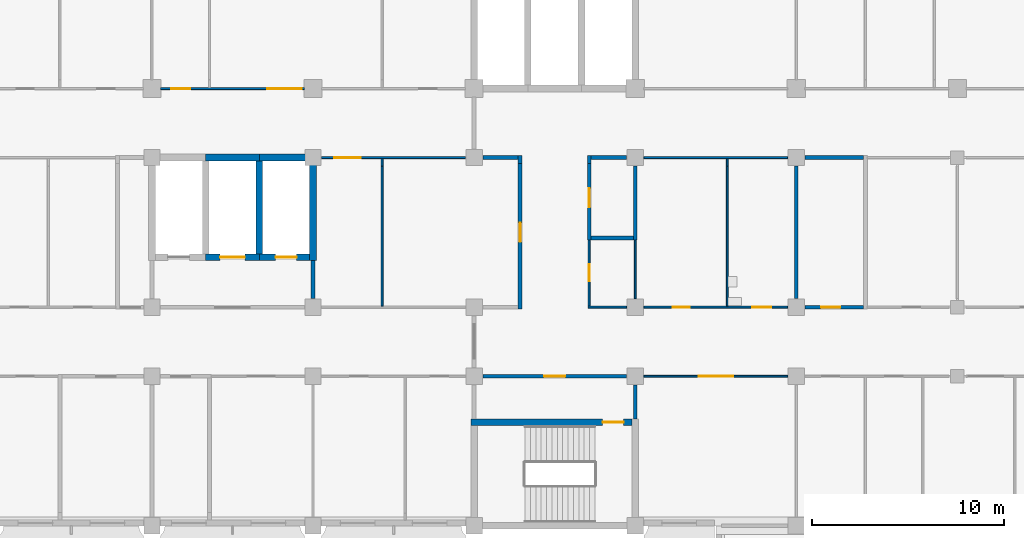
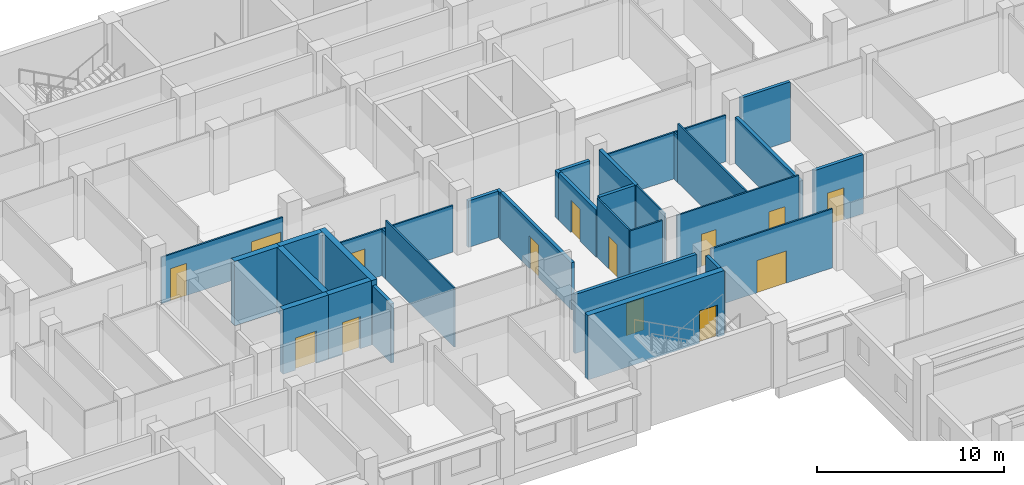
# One storey, part 65 of 109: 33 walls, 14 doors, 14 openings.
"""IFC4 building model written with IfcOpenShell, lengths in metres."""

from ifc_helpers import new_model, si_unit, direction, frame, frame_2d, origin, place, context, subcontext, project, spatial, rectangle, extrude, material, layer, layer_set, type_object, element, fill, save


model = new_model("IFC4")

# Units and contexts
model_context = context("Model", 3, precision=1e-05, world=origin(), true_north=direction((0.0, 1.0)))
body_context = subcontext(model_context, "Body", "Model", "MODEL_VIEW")
ifc_project = project(units=[si_unit("LENGTHUNIT", "METRE"), si_unit("AREAUNIT", "SQUARE_METRE"), si_unit("VOLUMEUNIT", "CUBIC_METRE"), si_unit("PLANEANGLEUNIT", "RADIAN"), si_unit("MASSUNIT", "GRAM", prefix="KILO")], contexts=[model_context])

# Site, building, storey
site_placement = place(None, origin())
site = spatial("IfcSite", under=ifc_project, at=site_placement, CompositionType="ELEMENT")
building_placement = place(site_placement, origin())
building = spatial("IfcBuilding", under=site, at=building_placement, Name="Bougainvillea Quay General Hospital", CompositionType="ELEMENT")
storey_placement = place(building_placement, frame((0.0, 0.0, 12.60009765625)))
storey = spatial("IfcBuildingStorey", under=building, at=storey_placement, Name="L02", CompositionType="ELEMENT", Elevation=12.60009765625)

# Wall, openings, doors
ifc_material_1 = material(Name="Gypsum board partition on steel studs", Category="steel")
ifc_layer_1 = layer(ifc_material_1, 0.10009765625)
ifc_layer_set_1 = layer_set([ifc_layer_1], Name="Gypsum board partition on steel studs")
wall_type_1 = type_object("IfcWallType", Name="Partition 100 Gypsum board partition", PredefinedType="PARTITIONING", material=ifc_layer_set_1)
wall_1_placement = place(storey_placement, frame((142.35009765625, 140.39990234375, 0.0), z_axis=(0.0, 0.0, 1.0), x_axis=(-1.0, 0.0, 0.0)))
wall_1 = element("IfcWall", 1, at=wall_1_placement, inside=storey, type_object=wall_type_1, Name="Partition 100 mm", PredefinedType="PARTITIONING", context=body_context, shape_type="SweptSolid", body=[
    extrude(rectangle(XDim=7.5, YDim=0.10009765625, at=frame_2d((3.75, 0.0))), origin(), (0.0, 0.0, 1.0), 3.02978515625),
])
opening_1_placement = place(wall_1_placement, frame((5.949951171875, 0.0, 0.0)))
opening_1 = element("IfcOpeningElement", 2, at=opening_1_placement, cuts=wall_1, Name="Opening L02.157", PredefinedType="OPENING", context=body_context, shape_type="SweptSolid", body=[
    extrude(rectangle(XDim=1.0, YDim=2.10009765625, at=frame_2d((0.5, 1.050048828125))), frame((0.0, 0.06005859375, 0.0), z_axis=(0.0, -1.0, 0.0), x_axis=(1.0, 0.0, 0.0)), (0.0, 0.0, 1.0), 0.1201171875),
])
opening_2_placement = place(wall_1_placement, frame((0.14990234375, 0.0, 0.0)))
opening_2 = element("IfcOpeningElement", 3, at=opening_2_placement, cuts=wall_1, Name="Opening L02.158", PredefinedType="OPENING", context=body_context, shape_type="SweptSolid", body=[
    extrude(rectangle(XDim=1.800048828125, YDim=2.10009765625, at=frame_2d((0.89990234375, 1.050048828125))), frame((0.0, 0.06005859375, 0.0), z_axis=(0.0, -1.0, 0.0), x_axis=(1.0, 0.0, 0.0)), (0.0, 0.0, 1.0), 0.1201171875),
])
ifc_material_2 = material(Name="Solid-core timber door leaves in steel frame", Category="steel")
door_type_1 = type_object("IfcDoorType", Name="Double leaf door 1800x2100", OperationType="DOUBLE_DOOR_SINGLE_SWING", PredefinedType="DOOR", material=ifc_material_2)
door_1_placement = place(opening_2_placement, frame((1.800048828125, 0.0, 0.0), z_axis=(0.0, 0.0, 1.0), x_axis=(-1.0, 0.0, 0.0)))
door_1 = element("IfcDoor", 4, at=door_1_placement, inside=storey, type_object=door_type_1, Name="DT08 L02.158", OperationType="DOUBLE_DOOR_SINGLE_SWING", OverallHeight=2.10009765625, OverallWidth=1.800048828125, PredefinedType="DOOR", context=body_context, shape_type="SweptSolid", body=[
    extrude(rectangle(XDim=1.800048828125, YDim=2.10009765625, at=frame_2d((0.89990234375, 1.050048828125))), frame((0.0, 0.02490234375, 0.0), z_axis=(0.0, -1.0, 0.0), x_axis=(1.0, 0.0, 0.0)), (0.0, 0.0, 1.0), 0.050048828125),
])
fill(opening_2, door_1)
ifc_material_3 = material(Name="Solid-core timber door leaf in steel frame", Category="steel")
door_type_2 = type_object("IfcDoorType", Name="Single leaf door 1000x2100", OperationType="NOTDEFINED", PredefinedType="DOOR", material=ifc_material_3)
door_2_placement = place(opening_1_placement, frame((1.0, 0.0, 0.0), z_axis=(0.0, 0.0, 1.0), x_axis=(-1.0, 0.0, 0.0)))
door_2 = element("IfcDoor", 5, at=door_2_placement, inside=storey, type_object=door_type_2, Name="DT06 L02.157", OperationType="SINGLE_SWING_LEFT", OverallHeight=2.10009765625, OverallWidth=1.0, PredefinedType="DOOR", context=body_context, shape_type="SweptSolid", body=[
    extrude(rectangle(XDim=1.0, YDim=2.10009765625, at=frame_2d((0.5, 1.050048828125))), frame((0.0, 0.02490234375, 0.0), z_axis=(0.0, -1.0, 0.0), x_axis=(1.0, 0.0, 0.0)), (0.0, 0.0, 1.0), 0.050048828125),
])
fill(opening_1, door_2)

# Wall, opening, door
wall_2_placement = place(storey_placement, frame((167.550048828125, 125.39990234375, 0.0), z_axis=(0.0, 0.0, 1.0), x_axis=(-1.0, 0.0, 0.0)))
wall_2 = element("IfcWall", 6, at=wall_2_placement, inside=storey, type_object=wall_type_1, Name="Partition 100 mm", PredefinedType="PARTITIONING", context=body_context, shape_type="SweptSolid", body=[
    extrude(rectangle(XDim=7.5, YDim=0.10009765625, at=frame_2d((3.75, 0.0))), origin(), (0.0, 0.0, 1.0), 3.849853515625),
])
opening_3_placement = place(wall_2_placement, frame((2.85009765625, 0.0, 0.0)))
opening_3 = element("IfcOpeningElement", 7, at=opening_3_placement, cuts=wall_2, Name="Opening L02.120", PredefinedType="OPENING", context=body_context, shape_type="SweptSolid", body=[
    extrude(rectangle(XDim=1.800048828125, YDim=2.10009765625, at=frame_2d((0.89990234375, 1.050048828125))), frame((0.0, 0.06005859375, 0.0), z_axis=(0.0, -1.0, 0.0), x_axis=(1.0, 0.0, 0.0)), (0.0, 0.0, 1.0), 0.1201171875),
])
door_3_placement = place(opening_3_placement, origin())
door_3 = element("IfcDoor", 8, at=door_3_placement, inside=storey, type_object=door_type_1, Name="DT08 L02.120", OperationType="DOUBLE_DOOR_SINGLE_SWING", OverallHeight=2.10009765625, OverallWidth=1.800048828125, PredefinedType="DOOR", context=body_context, shape_type="SweptSolid", body=[
    extrude(rectangle(XDim=1.800048828125, YDim=2.10009765625, at=frame_2d((0.89990234375, 1.050048828125))), frame((0.0, 0.02490234375, 0.0), z_axis=(0.0, -1.0, 0.0), x_axis=(1.0, 0.0, 0.0)), (0.0, 0.0, 1.0), 0.050048828125),
])
fill(opening_3, door_3)

wall_3_placement = place(storey_placement, frame((150.75, 136.800048828125, 0.0), z_axis=(0.0, 0.0, 1.0), x_axis=(-1.0, 0.0, 0.0)))
wall_3 = element("IfcWall", 9, at=wall_3_placement, inside=storey, type_object=wall_type_1, Name="Partition 100 mm", PredefinedType="PARTITIONING", context=body_context, shape_type="SweptSolid", body=[
    extrude(rectangle(XDim=7.5, YDim=0.10009765625, at=frame_2d((3.75, 0.0))), origin(), (0.0, 0.0, 1.0), 3.02978515625),
])
opening_4_placement = place(wall_3_placement, frame((5.449951171875, 0.0, 0.0)))
opening_4 = element("IfcOpeningElement", 10, at=opening_4_placement, cuts=wall_3, Name="Opening L02.116", PredefinedType="OPENING", context=body_context, shape_type="SweptSolid", body=[
    extrude(rectangle(XDim=1.39990234375, YDim=2.10009765625, at=frame_2d((0.699951171875, 1.050048828125))), frame((0.0, 0.06005859375, 0.0), z_axis=(0.0, -1.0, 0.0), x_axis=(1.0, 0.0, 0.0)), (0.0, 0.0, 1.0), 0.1201171875),
])
door_type_3 = type_object("IfcDoorType", Name="Bed door pair 1400x2100", OperationType="DOUBLE_DOOR_SINGLE_SWING", PredefinedType="DOOR", material=ifc_material_2)
door_4_placement = place(opening_4_placement, origin())
door_4 = element("IfcDoor", 11, at=door_4_placement, inside=storey, type_object=door_type_3, Name="DT09 L02.116", OperationType="DOUBLE_DOOR_SINGLE_SWING", OverallHeight=2.10009765625, OverallWidth=1.39990234375, PredefinedType="DOOR", context=body_context, shape_type="SweptSolid", body=[
    extrude(rectangle(XDim=1.39990234375, YDim=2.10009765625, at=frame_2d((0.699951171875, 1.050048828125))), frame((0.0, 0.02490234375, 0.0), z_axis=(0.0, -1.0, 0.0), x_axis=(1.0, 0.0, 0.0)), (0.0, 0.0, 1.0), 0.050048828125),
])
fill(opening_4, door_4)

# Wall, openings, doors
wall_4_placement = place(storey_placement, frame((167.550048828125, 129.0, 0.0), z_axis=(0.0, 0.0, 1.0), x_axis=(-1.0, 0.0, 0.0)))
wall_4 = element("IfcWall", 12, at=wall_4_placement, inside=storey, type_object=wall_type_1, Name="Partition 100 mm", PredefinedType="PARTITIONING", context=body_context, shape_type="SweptSolid", body=[
    extrude(rectangle(XDim=7.5, YDim=0.10009765625, at=frame_2d((3.75, 0.0))), origin(), (0.0, 0.0, 1.0), 3.849853515625),
])
opening_5_placement = place(wall_4_placement, frame((5.10009765625, 0.0, 0.0)))
opening_5 = element("IfcOpeningElement", 13, at=opening_5_placement, cuts=wall_4, Name="Opening L02.125", PredefinedType="OPENING", context=body_context, shape_type="SweptSolid", body=[
    extrude(rectangle(XDim=0.89990234375, YDim=2.10009765625, at=frame_2d((0.449951171875, 1.050048828125))), frame((0.0, 0.06005859375, 0.0), z_axis=(0.0, -1.0, 0.0), x_axis=(1.0, 0.0, 0.0)), (0.0, 0.0, 1.0), 0.1201171875),
])
opening_6_placement = place(wall_4_placement, frame((0.85009765625, 0.0, 0.0)))
opening_6 = element("IfcOpeningElement", 14, at=opening_6_placement, cuts=wall_4, Name="Opening L02.126", PredefinedType="OPENING", context=body_context, shape_type="SweptSolid", body=[
    extrude(rectangle(XDim=1.0, YDim=2.10009765625, at=frame_2d((0.5, 1.050048828125))), frame((0.0, 0.06005859375, 0.0), z_axis=(0.0, -1.0, 0.0), x_axis=(1.0, 0.0, 0.0)), (0.0, 0.0, 1.0), 0.1201171875),
])
door_5_placement = place(opening_6_placement, frame((1.0, 0.0, 0.0), z_axis=(0.0, 0.0, 1.0), x_axis=(-1.0, 0.0, 0.0)))
door_5 = element("IfcDoor", 15, at=door_5_placement, inside=storey, type_object=door_type_2, Name="DT06 L02.126", OperationType="SINGLE_SWING_RIGHT", OverallHeight=2.10009765625, OverallWidth=1.0, PredefinedType="DOOR", context=body_context, shape_type="SweptSolid", body=[
    extrude(rectangle(XDim=1.0, YDim=2.10009765625, at=frame_2d((0.5, 1.050048828125))), frame((0.0, 0.02490234375, 0.0), z_axis=(0.0, -1.0, 0.0), x_axis=(1.0, 0.0, 0.0)), (0.0, 0.0, 1.0), 0.050048828125),
])
fill(opening_6, door_5)
door_type_4 = type_object("IfcDoorType", Name="Single leaf door 900x2100", OperationType="NOTDEFINED", PredefinedType="DOOR", material=ifc_material_3)
door_6_placement = place(opening_5_placement, frame((0.89990234375, 0.0, 0.0), z_axis=(0.0, 0.0, 1.0), x_axis=(-1.0, 0.0, 0.0)))
door_6 = element("IfcDoor", 16, at=door_6_placement, inside=storey, type_object=door_type_4, Name="DT07 L02.125", OperationType="SINGLE_SWING_LEFT", OverallHeight=2.10009765625, OverallWidth=0.89990234375, PredefinedType="DOOR", context=body_context, shape_type="SweptSolid", body=[
    extrude(rectangle(XDim=0.89990234375, YDim=2.10009765625, at=frame_2d((0.449951171875, 1.050048828125))), frame((0.0, 0.02490234375, 0.0), z_axis=(0.0, -1.0, 0.0), x_axis=(1.0, 0.0, 0.0)), (0.0, 0.0, 1.0), 0.050048828125),
])
fill(opening_5, door_6)

# Walls
wall_5_placement = place(storey_placement, frame((159.14990234375, 129.0, 0.0), z_axis=(0.0, 0.0, 1.0), x_axis=(-1.0, 0.0, 0.0)))
element("IfcWall", 17, at=wall_5_placement, inside=storey, type_object=wall_type_1, Name="Partition 100 mm", PredefinedType="PARTITIONING", context=body_context, shape_type="SweptSolid", body=[
    extrude(rectangle(XDim=2.0, YDim=0.10009765625, at=frame_2d((1.0, 0.0))), origin(), (0.0, 0.0, 1.0), 3.849853515625),
])
wall_6_placement = place(storey_placement, frame((160.050048828125, 136.800048828125, 0.0), z_axis=(0.0, 0.0, 1.0), x_axis=(1.0, 0.0, 0.0)))
element("IfcWall", 18, at=wall_6_placement, inside=storey, type_object=wall_type_1, Name="Partition 100 mm", PredefinedType="PARTITIONING", context=body_context, shape_type="SweptSolid", body=[
    extrude(rectangle(XDim=7.5, YDim=0.10009765625, at=frame_2d((3.75, 0.0))), origin(), (0.0, 0.0, 1.0), 3.02978515625),
])
wall_7_placement = place(storey_placement, frame((146.39990234375, 129.050048828125, 0.0), z_axis=(0.0, 0.0, 1.0), x_axis=(0.0, 1.0, 0.0)))
element("IfcWall", 19, at=wall_7_placement, inside=storey, type_object=wall_type_1, Name="Partition 100 mm", PredefinedType="PARTITIONING", context=body_context, shape_type="SweptSolid", body=[
    extrude(rectangle(XDim=7.300048828125, YDim=0.10009765625, at=frame_2d((3.64990234375, 0.0))), origin(), (0.0, 0.0, 1.0), 3.849853515625),
])
wall_8_placement = place(storey_placement, frame((146.39990234375, 136.35009765625, 0.0), z_axis=(0.0, 0.0, 1.0), x_axis=(0.0, 1.0, 0.0)))
element("IfcWall", 20, at=wall_8_placement, inside=storey, type_object=wall_type_1, Name="Partition 100 mm", PredefinedType="PARTITIONING", context=body_context, shape_type="SweptSolid", body=[
    extrude(rectangle(XDim=0.39990234375, YDim=0.10009765625, at=frame_2d((0.199951171875, 0.0))), origin(), (0.0, 0.0, 1.0), 3.079833984375),
])
wall_9_placement = place(storey_placement, frame((164.39990234375, 129.050048828125, 0.0), z_axis=(0.0, 0.0, 1.0), x_axis=(0.0, 1.0, 0.0)))
element("IfcWall", 21, at=wall_9_placement, inside=storey, type_object=wall_type_1, Name="Partition 100 mm", PredefinedType="PARTITIONING", context=body_context, shape_type="SweptSolid", body=[
    extrude(rectangle(XDim=7.300048828125, YDim=0.10009765625, at=frame_2d((3.64990234375, 0.0))), origin(), (0.0, 0.0, 1.0), 3.849853515625),
])
wall_10_placement = place(storey_placement, frame((164.39990234375, 136.35009765625, 0.0), z_axis=(0.0, 0.0, 1.0), x_axis=(0.0, 1.0, 0.0)))
element("IfcWall", 22, at=wall_10_placement, inside=storey, type_object=wall_type_1, Name="Partition 100 mm", PredefinedType="PARTITIONING", context=body_context, shape_type="SweptSolid", body=[
    extrude(rectangle(XDim=0.39990234375, YDim=0.10009765625, at=frame_2d((0.199951171875, 0.0))), origin(), (0.0, 0.0, 1.0), 3.079833984375),
])

# Wall, opening, door
wall_11_placement = place(storey_placement, frame((157.199951171875, 129.050048828125, 0.0), z_axis=(0.0, 0.0, 1.0), x_axis=(0.0, 1.0, 0.0)))
wall_11 = element("IfcWall", 23, at=wall_11_placement, inside=storey, type_object=wall_type_1, Name="Partition 100 mm", PredefinedType="PARTITIONING", context=body_context, shape_type="SweptSolid", body=[
    extrude(rectangle(XDim=3.449951171875, YDim=0.10009765625, at=frame_2d((1.72509765625, 0.0))), origin(), (0.0, 0.0, 1.0), 3.849853515625),
])
opening_7_placement = place(wall_11_placement, frame((1.300048828125, 0.0, 0.0)))
opening_7 = element("IfcOpeningElement", 24, at=opening_7_placement, cuts=wall_11, Name="Opening L02.118", PredefinedType="OPENING", context=body_context, shape_type="SweptSolid", body=[
    extrude(rectangle(XDim=0.89990234375, YDim=2.10009765625, at=frame_2d((0.449951171875, 1.050048828125))), frame((0.0, 0.06005859375, 0.0), z_axis=(0.0, -1.0, 0.0), x_axis=(1.0, 0.0, 0.0)), (0.0, 0.0, 1.0), 0.1201171875),
])
door_7_placement = place(opening_7_placement, frame((0.89990234375, 0.0, 0.0), z_axis=(0.0, 0.0, 1.0), x_axis=(-1.0, 0.0, 0.0)))
door_7 = element("IfcDoor", 25, at=door_7_placement, inside=storey, type_object=door_type_4, Name="DT07 L02.118", OperationType="SINGLE_SWING_LEFT", OverallHeight=2.10009765625, OverallWidth=0.89990234375, PredefinedType="DOOR", context=body_context, shape_type="SweptSolid", body=[
    extrude(rectangle(XDim=0.89990234375, YDim=2.10009765625, at=frame_2d((0.449951171875, 1.050048828125))), frame((0.0, 0.02490234375, 0.0), z_axis=(0.0, -1.0, 0.0), x_axis=(1.0, 0.0, 0.0)), (0.0, 0.0, 1.0), 0.050048828125),
])
fill(opening_7, door_7)

# Wall
wall_12_placement = place(storey_placement, frame((159.60009765625, 129.449951171875, 0.0), z_axis=(0.0, 0.0, 1.0), x_axis=(0.0, 1.0, 0.0)))
element("IfcWall", 26, at=wall_12_placement, inside=storey, type_object=wall_type_1, Name="Partition 100 mm", PredefinedType="PARTITIONING", context=body_context, shape_type="SweptSolid", body=[
    extrude(rectangle(XDim=3.050048828125, YDim=0.10009765625, at=frame_2d((1.52490234375, 0.0))), origin(), (0.0, 0.0, 1.0), 3.849853515625),
])

# Wall, opening, door
ifc_material_4 = material(Name="Fire-rated autoclaved aerated block wall, plastered")
ifc_layer_2 = layer(ifc_material_4, 0.199951171875)
ifc_layer_set_2 = layer_set([ifc_layer_2], Name="Fire-rated autoclaved aerated block wall, plastered")
wall_type_2 = type_object("IfcWallType", Name="Partition 200 Fire-rated autoclaved aerated block wall EI 120", PredefinedType="SOLIDWALL", material=ifc_layer_set_2)
wall_13_placement = place(storey_placement, frame((151.64990234375, 125.39990234375, 0.0), z_axis=(0.0, 0.0, 1.0), x_axis=(1.0, 0.0, 0.0)))
wall_13 = element("IfcWall", 27, at=wall_13_placement, inside=storey, type_object=wall_type_2, Name="Partition 200 mm EI 120", PredefinedType="SOLIDWALL", context=body_context, shape_type="SweptSolid", body=[
    extrude(rectangle(XDim=7.5, YDim=0.199951171875, at=frame_2d((3.75, 0.0))), origin(), (0.0, 0.0, 1.0), 3.849853515625),
])
opening_8_placement = place(wall_13_placement, frame((3.199951171875, 0.0, 0.0)))
opening_8 = element("IfcOpeningElement", 28, at=opening_8_placement, cuts=wall_13, Name="Opening L02.038", PredefinedType="OPENING", context=body_context, shape_type="SweptSolid", body=[
    extrude(rectangle(XDim=1.10009765625, YDim=2.10009765625, at=frame_2d((0.550048828125, 1.050048828125))), frame((0.0, 0.10986328125, 0.0), z_axis=(0.0, -1.0, 0.0), x_axis=(1.0, 0.0, 0.0)), (0.0, 0.0, 1.0), 0.219970703125),
])
ifc_material_5 = material(Name="Steel fire door leaf in steel frame", Category="steel")
door_type_5 = type_object("IfcDoorType", Name="Steel single leaf door 1100x2100 FD60", OperationType="NOTDEFINED", PredefinedType="DOOR", material=ifc_material_5)
door_8_placement = place(opening_8_placement, frame((1.10009765625, 0.0, 0.0), z_axis=(0.0, 0.0, 1.0), x_axis=(-1.0, 0.0, 0.0)))
door_8 = element("IfcDoor", 29, at=door_8_placement, inside=storey, type_object=door_type_5, Name="DT04 L02.038", OperationType="SINGLE_SWING_LEFT", OverallHeight=2.10009765625, OverallWidth=1.10009765625, PredefinedType="DOOR", context=body_context, shape_type="SweptSolid", body=[
    extrude(rectangle(XDim=1.10009765625, YDim=2.10009765625, at=frame_2d((0.550048828125, 1.050048828125))), frame((0.0, 0.02490234375, 0.0), z_axis=(0.0, -1.0, 0.0), x_axis=(1.0, 0.0, 0.0)), (0.0, 0.0, 1.0), 0.050048828125),
])
fill(opening_8, door_8)

wall_14_placement = place(storey_placement, frame((153.60009765625, 128.89990234375, 0.0), z_axis=(0.0, 0.0, 1.0), x_axis=(0.0, 1.0, 0.0)))
wall_14 = element("IfcWall", 30, at=wall_14_placement, inside=storey, type_object=wall_type_2, Name="Partition 200 mm EI 120", PredefinedType="SOLIDWALL", context=body_context, shape_type="SweptSolid", body=[
    extrude(rectangle(XDim=7.60009765625, YDim=0.199951171875, at=frame_2d((3.800048828125, 0.0))), origin(), (0.0, 0.0, 1.0), 3.079833984375),
])
opening_9_placement = place(wall_14_placement, frame((3.5, 0.0, 0.0)))
opening_9 = element("IfcOpeningElement", 31, at=opening_9_placement, cuts=wall_14, Name="Opening L02.117", PredefinedType="OPENING", context=body_context, shape_type="SweptSolid", body=[
    extrude(rectangle(XDim=1.0, YDim=2.10009765625, at=frame_2d((0.5, 1.050048828125))), frame((0.0, 0.10986328125, 0.0), z_axis=(0.0, -1.0, 0.0), x_axis=(1.0, 0.0, 0.0)), (0.0, 0.0, 1.0), 0.219970703125),
])
door_type_6 = type_object("IfcDoorType", Name="Steel single leaf door 1000x2100 FD90", OperationType="NOTDEFINED", PredefinedType="DOOR", material=ifc_material_5)
door_9_placement = place(opening_9_placement, origin())
door_9 = element("IfcDoor", 32, at=door_9_placement, inside=storey, type_object=door_type_6, Name="DT11 L02.117", OperationType="SINGLE_SWING_RIGHT", OverallHeight=2.10009765625, OverallWidth=1.0, PredefinedType="DOOR", context=body_context, shape_type="SweptSolid", body=[
    extrude(rectangle(XDim=1.0, YDim=2.10009765625, at=frame_2d((0.5, 1.050048828125))), frame((0.0, 0.02490234375, 0.0), z_axis=(0.0, -1.0, 0.0), x_axis=(1.0, 0.0, 0.0)), (0.0, 0.0, 1.0), 0.050048828125),
])
fill(opening_9, door_9)

# Walls
wall_15_placement = place(storey_placement, frame((153.60009765625, 136.5, 0.0), z_axis=(0.0, 0.0, 1.0), x_axis=(0.0, 1.0, 0.0)))
element("IfcWall", 33, at=wall_15_placement, inside=storey, type_object=wall_type_2, Name="Partition 200 mm EI 120", PredefinedType="SOLIDWALL", context=body_context, shape_type="SweptSolid", body=[
    extrude(rectangle(XDim=0.39990234375, YDim=0.199951171875, at=frame_2d((0.199951171875, 0.0))), origin(), (0.0, 0.0, 1.0), 3.02978515625),
])
wall_16_placement = place(storey_placement, frame((142.800048828125, 129.449951171875, 0.0), z_axis=(0.0, 0.0, 1.0), x_axis=(0.0, 1.0, 0.0)))
element("IfcWall", 34, at=wall_16_placement, inside=storey, type_object=wall_type_2, Name="Partition 200 mm EI 120", PredefinedType="SOLIDWALL", context=body_context, shape_type="SweptSolid", body=[
    extrude(rectangle(XDim=1.97509765625, YDim=0.199951171875, at=frame_2d((0.987548828125, 0.0))), origin(), (0.0, 0.0, 1.0), 3.849853515625),
])
wall_17_placement = place(storey_placement, frame((151.64990234375, 136.800048828125, 0.0), z_axis=(0.0, 0.0, 1.0), x_axis=(1.0, 0.0, 0.0)))
element("IfcWall", 35, at=wall_17_placement, inside=storey, type_object=wall_type_2, Name="Partition 200 mm EI 120", PredefinedType="SOLIDWALL", context=body_context, shape_type="SweptSolid", body=[
    extrude(rectangle(XDim=1.85009765625, YDim=0.199951171875, at=frame_2d((0.925048828125, 0.0))), origin(), (0.0, 0.0, 1.0), 3.02978515625),
])
wall_18_placement = place(storey_placement, frame((159.60009765625, 123.175048828125, 0.0), z_axis=(0.0, 0.0, 1.0), x_axis=(0.0, 1.0, 0.0)))
element("IfcWall", 36, at=wall_18_placement, inside=storey, type_object=wall_type_2, Name="Partition 200 mm EI 120", PredefinedType="SOLIDWALL", context=body_context, shape_type="SweptSolid", body=[
    extrude(rectangle(XDim=1.77490234375, YDim=0.199951171875, at=frame_2d((0.887451171875, 0.0))), origin(), (0.0, 0.0, 1.0), 3.849853515625),
])
ifc_layer_3 = layer(ifc_material_4, 0.199951171875)
ifc_layer_set_3 = layer_set([ifc_layer_3], Name="Fire-rated autoclaved aerated block wall, plastered")
wall_type_3 = type_object("IfcWallType", Name="Partition 200 Fire-rated autoclaved aerated block wall EI 60", PredefinedType="SOLIDWALL", material=ifc_layer_set_3)
wall_19_placement = place(storey_placement, frame((168.0, 129.449951171875, 0.0), z_axis=(0.0, 0.0, 1.0), x_axis=(0.0, 1.0, 0.0)))
element("IfcWall", 37, at=wall_19_placement, inside=storey, type_object=wall_type_3, Name="Partition 200 mm EI 60", PredefinedType="SOLIDWALL", context=body_context, shape_type="SweptSolid", body=[
    extrude(rectangle(XDim=6.900146484375, YDim=0.199951171875, at=frame_2d((3.4501953125, 0.0))), origin(), (0.0, 0.0, 1.0), 3.02978515625),
])

# Wall, opening, door
wall_20_placement = place(storey_placement, frame((157.199951171875, 132.5, 0.0), z_axis=(0.0, 0.0, 1.0), x_axis=(0.0, 1.0, 0.0)))
wall_20 = element("IfcWall", 38, at=wall_20_placement, inside=storey, type_object=wall_type_3, Name="Partition 200 mm EI 60", PredefinedType="SOLIDWALL", context=body_context, shape_type="SweptSolid", body=[
    extrude(rectangle(XDim=4.0, YDim=0.199951171875, at=frame_2d((2.0, 0.0))), origin(), (0.0, 0.0, 1.0), 3.079833984375),
])
opening_10_placement = place(wall_20_placement, frame((1.699951171875, 0.0, 0.0)))
opening_10 = element("IfcOpeningElement", 39, at=opening_10_placement, cuts=wall_20, Name="Opening L02.119", PredefinedType="OPENING", context=body_context, shape_type="SweptSolid", body=[
    extrude(rectangle(XDim=1.0, YDim=2.10009765625, at=frame_2d((0.5, 1.050048828125))), frame((0.0, 0.10986328125, 0.0), z_axis=(0.0, -1.0, 0.0), x_axis=(1.0, 0.0, 0.0)), (0.0, 0.0, 1.0), 0.219970703125),
])
door_type_7 = type_object("IfcDoorType", Name="Steel single leaf door 1000x2100 FD60", OperationType="NOTDEFINED", PredefinedType="DOOR", material=ifc_material_5)
door_10_placement = place(opening_10_placement, frame((1.0, 0.0, 0.0), z_axis=(0.0, 0.0, 1.0), x_axis=(-1.0, 0.0, 0.0)))
door_10 = element("IfcDoor", 40, at=door_10_placement, inside=storey, type_object=door_type_7, Name="DT10 L02.119", OperationType="SINGLE_SWING_LEFT", OverallHeight=2.10009765625, OverallWidth=1.0, PredefinedType="DOOR", context=body_context, shape_type="SweptSolid", body=[
    extrude(rectangle(XDim=1.0, YDim=2.10009765625, at=frame_2d((0.5, 1.050048828125))), frame((0.0, 0.02490234375, 0.0), z_axis=(0.0, -1.0, 0.0), x_axis=(1.0, 0.0, 0.0)), (0.0, 0.0, 1.0), 0.050048828125),
])
fill(opening_10, door_10)

# Walls
wall_21_placement = place(storey_placement, frame((157.199951171875, 136.5, 0.0), z_axis=(0.0, 0.0, 1.0), x_axis=(0.0, 1.0, 0.0)))
element("IfcWall", 41, at=wall_21_placement, inside=storey, type_object=wall_type_3, Name="Partition 200 mm EI 60", PredefinedType="SOLIDWALL", context=body_context, shape_type="SweptSolid", body=[
    extrude(rectangle(XDim=0.39990234375, YDim=0.199951171875, at=frame_2d((0.199951171875, 0.0))), origin(), (0.0, 0.0, 1.0), 3.02978515625),
])
wall_22_placement = place(storey_placement, frame((159.60009765625, 132.5, 0.0), z_axis=(0.0, 0.0, 1.0), x_axis=(0.0, 1.0, 0.0)))
element("IfcWall", 42, at=wall_22_placement, inside=storey, type_object=wall_type_3, Name="Partition 200 mm EI 60", PredefinedType="SOLIDWALL", context=body_context, shape_type="SweptSolid", body=[
    extrude(rectangle(XDim=3.85009765625, YDim=0.199951171875, at=frame_2d((1.925048828125, 0.0))), origin(), (0.0, 0.0, 1.0), 3.849853515625),
])

# Wall, opening, door
wall_23_placement = place(storey_placement, frame((168.449951171875, 129.0, 0.0), z_axis=(0.0, 0.0, 1.0), x_axis=(1.0, 0.0, 0.0)))
wall_23 = element("IfcWall", 43, at=wall_23_placement, inside=storey, type_object=wall_type_3, Name="Partition 200 mm EI 60", PredefinedType="SOLIDWALL", context=body_context, shape_type="SweptSolid", body=[
    extrude(rectangle(XDim=3.050048828125, YDim=0.199951171875, at=frame_2d((1.52490234375, 0.0))), origin(), (0.0, 0.0, 1.0), 3.849853515625),
])
opening_11_placement = place(wall_23_placement, frame((0.85009765625, 0.0, 0.0)))
opening_11 = element("IfcOpeningElement", 44, at=opening_11_placement, cuts=wall_23, Name="Opening L02.127", PredefinedType="OPENING", context=body_context, shape_type="SweptSolid", body=[
    extrude(rectangle(XDim=1.0, YDim=2.10009765625, at=frame_2d((0.5, 1.050048828125))), frame((0.0, 0.10986328125, 0.0), z_axis=(0.0, -1.0, 0.0), x_axis=(1.0, 0.0, 0.0)), (0.0, 0.0, 1.0), 0.219970703125),
])
door_11_placement = place(opening_11_placement, origin())
door_11 = element("IfcDoor", 45, at=door_11_placement, inside=storey, type_object=door_type_7, Name="DT10 L02.127", OperationType="SINGLE_SWING_LEFT", OverallHeight=2.10009765625, OverallWidth=1.0, PredefinedType="DOOR", context=body_context, shape_type="SweptSolid", body=[
    extrude(rectangle(XDim=1.0, YDim=2.10009765625, at=frame_2d((0.5, 1.050048828125))), frame((0.0, 0.02490234375, 0.0), z_axis=(0.0, -1.0, 0.0), x_axis=(1.0, 0.0, 0.0)), (0.0, 0.0, 1.0), 0.050048828125),
])
fill(opening_11, door_11)

# Walls
wall_24_placement = place(storey_placement, frame((168.449951171875, 136.800048828125, 0.0), z_axis=(0.0, 0.0, 1.0), x_axis=(1.0, 0.0, 0.0)))
element("IfcWall", 46, at=wall_24_placement, inside=storey, type_object=wall_type_3, Name="Partition 200 mm EI 60", PredefinedType="SOLIDWALL", context=body_context, shape_type="SweptSolid", body=[
    extrude(rectangle(XDim=3.050048828125, YDim=0.199951171875, at=frame_2d((1.52490234375, 0.0))), origin(), (0.0, 0.0, 1.0), 3.849853515625),
])
wall_25_placement = place(storey_placement, frame((157.300048828125, 132.60009765625, 0.0), z_axis=(0.0, 0.0, 1.0), x_axis=(1.0, 0.0, 0.0)))
element("IfcWall", 47, at=wall_25_placement, inside=storey, type_object=wall_type_3, Name="Partition 200 mm EI 60", PredefinedType="SOLIDWALL", context=body_context, shape_type="SweptSolid", body=[
    extrude(rectangle(XDim=2.199951171875, YDim=0.199951171875, at=frame_2d((1.10009765625, 0.0))), origin(), (0.0, 0.0, 1.0), 3.849853515625),
])
wall_26_placement = place(storey_placement, frame((157.300048828125, 136.800048828125, 0.0), z_axis=(0.0, 0.0, 1.0), x_axis=(1.0, 0.0, 0.0)))
element("IfcWall", 48, at=wall_26_placement, inside=storey, type_object=wall_type_3, Name="Partition 200 mm EI 60", PredefinedType="SOLIDWALL", context=body_context, shape_type="SweptSolid", body=[
    extrude(rectangle(XDim=1.849853515625, YDim=0.199951171875, at=frame_2d((0.9248046875, 0.0))), origin(), (0.0, 0.0, 1.0), 3.02978515625),
])

# Wall, opening, door
ifc_material_6 = material(Name="Concrete C40", Category="concrete")
ifc_layer_4 = layer(ifc_material_6, 0.35009765625)
ifc_layer_set_4 = layer_set([ifc_layer_4], Name="Concrete C40")
wall_type_4 = type_object("IfcWallType", Name="RC SHEAR WALL 350 C40", PredefinedType="SHEAR", material=ifc_layer_set_4)
wall_27_placement = place(storey_placement, frame((137.199951171875, 131.60009765625, 0.0), z_axis=(0.0, 0.0, 1.0), x_axis=(1.0, 0.0, 0.0)))
wall_27 = element("IfcWall", 49, at=wall_27_placement, inside=storey, type_object=wall_type_4, Name="Shear wall L02", PredefinedType="SHEAR", context=body_context, shape_type="SweptSolid", body=[
    extrude(rectangle(XDim=2.800048828125, YDim=0.35009765625, at=frame_2d((1.39990234375, 0.0))), origin(), (0.0, 0.0, 1.0), 4.199951171875),
])
opening_12_placement = place(wall_27_placement, frame((0.75, 0.0, 0.0)))
opening_12 = element("IfcOpeningElement", 50, at=opening_12_placement, cuts=wall_27, Name="Opening LD-B2.2-L02", PredefinedType="OPENING", context=body_context, shape_type="SweptSolid", body=[
    extrude(rectangle(XDim=1.300048828125, YDim=2.10009765625, at=frame_2d((0.64990234375, 1.050048828125))), frame((0.0, 0.18505859375, 0.0), z_axis=(0.0, -1.0, 0.0), x_axis=(1.0, 0.0, 0.0)), (0.0, 0.0, 1.0), 0.3701171875),
])
ifc_material_7 = material(Name="Stainless steel centre-opening landing door", Category="steel")
door_type_8 = type_object("IfcDoorType", Name="Lift landing door 1300x2100 E 120", OperationType="DOUBLE_DOOR_SLIDING", PredefinedType="DOOR", material=ifc_material_7)
door_12_placement = place(opening_12_placement, origin())
door_12 = element("IfcDoor", 51, at=door_12_placement, inside=storey, type_object=door_type_8, Name="Lift landing door LB-B2-2 L02", OperationType="DOUBLE_DOOR_SLIDING", OverallHeight=2.10009765625, OverallWidth=1.300048828125, PredefinedType="DOOR", context=body_context, shape_type="SweptSolid", body=[
    extrude(rectangle(XDim=1.300048828125, YDim=2.10009765625, at=frame_2d((0.64990234375, 1.050048828125))), frame((0.0, 0.02490234375, 0.0), z_axis=(0.0, -1.0, 0.0), x_axis=(1.0, 0.0, 0.0)), (0.0, 0.0, 1.0), 0.050048828125),
])
fill(opening_12, door_12)

# Wall
wall_28_placement = place(storey_placement, frame((137.199951171875, 136.800048828125, 0.0), z_axis=(0.0, 0.0, 1.0), x_axis=(1.0, 0.0, 0.0)))
element("IfcWall", 52, at=wall_28_placement, inside=storey, type_object=wall_type_4, Name="Shear wall L02", PredefinedType="SHEAR", context=body_context, shape_type="SweptSolid", body=[
    extrude(rectangle(XDim=2.800048828125, YDim=0.35009765625, at=frame_2d((1.39990234375, 0.0))), origin(), (0.0, 0.0, 1.0), 4.199951171875),
])

# Wall, opening, door
wall_29_placement = place(storey_placement, frame((140.0, 131.60009765625, 0.0), z_axis=(0.0, 0.0, 1.0), x_axis=(1.0, 0.0, 0.0)))
wall_29 = element("IfcWall", 53, at=wall_29_placement, inside=storey, type_object=wall_type_4, Name="Shear wall L02", PredefinedType="SHEAR", context=body_context, shape_type="SweptSolid", body=[
    extrude(rectangle(XDim=2.625, YDim=0.35009765625, at=frame_2d((1.3125, 0.0))), origin(), (0.0, 0.0, 1.0), 4.199951171875),
])
opening_13_placement = place(wall_29_placement, frame((0.85009765625, 0.0, 0.0)))
opening_13 = element("IfcOpeningElement", 54, at=opening_13_placement, cuts=wall_29, Name="Opening LD-B2.3-L02", PredefinedType="OPENING", context=body_context, shape_type="SweptSolid", body=[
    extrude(rectangle(XDim=1.10009765625, YDim=2.10009765625, at=frame_2d((0.550048828125, 1.050048828125))), frame((0.0, 0.18505859375, 0.0), z_axis=(0.0, -1.0, 0.0), x_axis=(1.0, 0.0, 0.0)), (0.0, 0.0, 1.0), 0.3701171875),
])
door_type_9 = type_object("IfcDoorType", Name="Lift landing door 1100x2100 E 120", OperationType="DOUBLE_DOOR_SLIDING", PredefinedType="DOOR", material=ifc_material_7)
door_13_placement = place(opening_13_placement, origin())
door_13 = element("IfcDoor", 55, at=door_13_placement, inside=storey, type_object=door_type_9, Name="Lift landing door LB-B2-3 L02", OperationType="DOUBLE_DOOR_SLIDING", OverallHeight=2.10009765625, OverallWidth=1.10009765625, PredefinedType="DOOR", context=body_context, shape_type="SweptSolid", body=[
    extrude(rectangle(XDim=1.10009765625, YDim=2.10009765625, at=frame_2d((0.550048828125, 1.050048828125))), frame((0.0, 0.02490234375, 0.0), z_axis=(0.0, -1.0, 0.0), x_axis=(1.0, 0.0, 0.0)), (0.0, 0.0, 1.0), 0.050048828125),
])
fill(opening_13, door_13)

# Walls
wall_30_placement = place(storey_placement, frame((140.0, 131.77490234375, 0.0), z_axis=(0.0, 0.0, 1.0), x_axis=(0.0, 1.0, 0.0)))
element("IfcWall", 56, at=wall_30_placement, inside=storey, type_object=wall_type_4, Name="Shear wall L02", PredefinedType="SHEAR", context=body_context, shape_type="SweptSolid", body=[
    extrude(rectangle(XDim=4.85009765625, YDim=0.35009765625, at=frame_2d((2.425048828125, 0.0))), origin(), (0.0, 0.0, 1.0), 4.199951171875),
])
wall_31_placement = place(storey_placement, frame((140.0, 136.800048828125, 0.0), z_axis=(0.0, 0.0, 1.0), x_axis=(1.0, 0.0, 0.0)))
element("IfcWall", 57, at=wall_31_placement, inside=storey, type_object=wall_type_4, Name="Shear wall L02", PredefinedType="SHEAR", context=body_context, shape_type="SweptSolid", body=[
    extrude(rectangle(XDim=2.625, YDim=0.35009765625, at=frame_2d((1.3125, 0.0))), origin(), (0.0, 0.0, 1.0), 4.199951171875),
])
wall_32_placement = place(storey_placement, frame((142.800048828125, 131.425048828125, 0.0), z_axis=(0.0, 0.0, 1.0), x_axis=(0.0, 1.0, 0.0)))
element("IfcWall", 58, at=wall_32_placement, inside=storey, type_object=wall_type_4, Name="Shear wall L02", PredefinedType="SHEAR", context=body_context, shape_type="SweptSolid", body=[
    extrude(rectangle(XDim=5.550048828125, YDim=0.35009765625, at=frame_2d((2.77490234375, 0.0))), origin(), (0.0, 0.0, 1.0), 4.199951171875),
])

# Wall, opening, door
wall_33_placement = place(storey_placement, frame((151.02490234375, 123.0, 0.0), z_axis=(0.0, 0.0, 1.0), x_axis=(1.0, 0.0, 0.0)))
wall_33 = element("IfcWall", 59, at=wall_33_placement, inside=storey, type_object=wall_type_4, Name="Shear wall L02", PredefinedType="SHEAR", context=body_context, shape_type="SweptSolid", body=[
    extrude(rectangle(XDim=8.400146484375, YDim=0.35009765625, at=frame_2d((4.2001953125, 0.0))), origin(), (0.0, 0.0, 1.0), 4.199951171875),
])
opening_14_placement = place(wall_33_placement, frame((6.875, 0.0, 0.0)))
opening_14 = element("IfcOpeningElement", 60, at=opening_14_placement, cuts=wall_33, Name="Opening L02.024", PredefinedType="OPENING", context=body_context, shape_type="SweptSolid", body=[
    extrude(rectangle(XDim=1.10009765625, YDim=2.10009765625, at=frame_2d((0.550048828125, 1.050048828125))), frame((0.0, 0.18505859375, 0.0), z_axis=(0.0, -1.0, 0.0), x_axis=(1.0, 0.0, 0.0)), (0.0, 0.0, 1.0), 0.3701171875),
])
door_14_placement = place(opening_14_placement, frame((1.10009765625, 0.0, 0.0), z_axis=(0.0, 0.0, 1.0), x_axis=(-1.0, 0.0, 0.0)))
door_14 = element("IfcDoor", 61, at=door_14_placement, inside=storey, type_object=door_type_5, Name="DT04 L02.024", OperationType="SINGLE_SWING_LEFT", OverallHeight=2.10009765625, OverallWidth=1.10009765625, PredefinedType="DOOR", context=body_context, shape_type="SweptSolid", body=[
    extrude(rectangle(XDim=1.10009765625, YDim=2.10009765625, at=frame_2d((0.550048828125, 1.050048828125))), frame((0.0, 0.02490234375, 0.0), z_axis=(0.0, -1.0, 0.0), x_axis=(1.0, 0.0, 0.0)), (0.0, 0.0, 1.0), 0.050048828125),
])
fill(opening_14, door_14)

save(model, "model.ifc")
